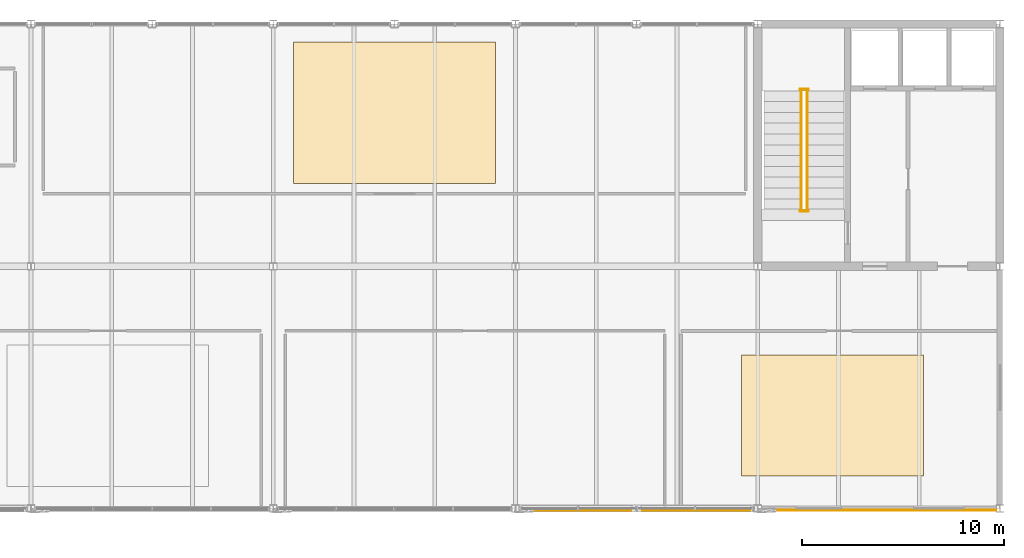
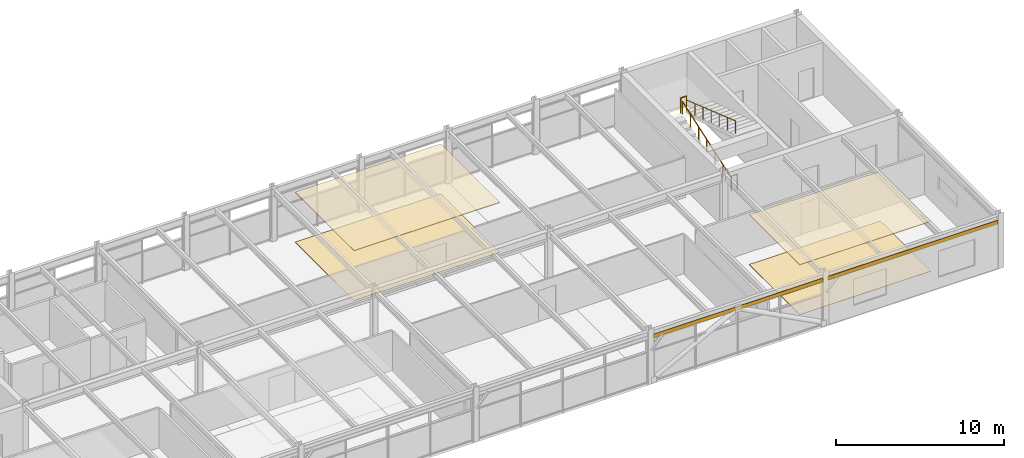
# One storey, part 23 of 23: 4 coverings, 4 railings, 2 shading devices.
"""IFC4 building model written with IfcOpenShell, lengths in metres."""

from ifc_helpers import new_model, si_unit, direction, frame, origin, origin_2d, place, context, subcontext, project, spatial, rectangle, circle, extrude, material, layer, layer_set, type_object, element, save


model = new_model("IFC4")

# Units and contexts
model_context = context("Model", 3, precision=1e-05, world=origin(), true_north=direction((0.0, 1.0)))
body_context = subcontext(model_context, "Body", "Model", "MODEL_VIEW")
ifc_project = project(units=[si_unit("LENGTHUNIT", "METRE"), si_unit("AREAUNIT", "SQUARE_METRE"), si_unit("VOLUMEUNIT", "CUBIC_METRE"), si_unit("PLANEANGLEUNIT", "RADIAN"), si_unit("MASSUNIT", "GRAM", prefix="KILO")], contexts=[model_context])

# Site, building, storey
site_placement = place(None, origin())
site = spatial("IfcSite", under=ifc_project, at=site_placement, CompositionType="ELEMENT")
building_placement = place(site_placement, origin())
building = spatial("IfcBuilding", under=site, at=building_placement, Name="Girod Span Mobility Hub", CompositionType="ELEMENT")
storey_placement = place(building_placement, frame((0.0, 0.0, 65.60009765625)))
storey = spatial("IfcBuildingStorey", under=building, at=storey_placement, Name="L16", CompositionType="ELEMENT", Elevation=65.60009765625)

# Coverings
ifc_material_1 = material(Name="Perforated Mineral-Fibre Acoustic Ceiling Tile", Category="mineral")
ifc_layer_1 = layer(ifc_material_1, 0.050048828125)
ifc_layer_set_1 = layer_set([ifc_layer_1], Name="Perforated Mineral-Fibre Acoustic Ceiling Tile")
covering_type_1 = type_object("IfcCoveringType", Name="COV-CLG-1000X700", PredefinedType="CEILING", material=ifc_layer_set_1)
covering_1_placement = place(storey_placement, frame((90.0, 64.60009765625, 3.60498046875), z_axis=(0.0, 0.0, 1.0), x_axis=(1.0, 0.0, 0.0)))
element("IfcCovering", 1, at=covering_1_placement, inside=storey, type_object=covering_type_1, Name="Executive Studio North L16 Acoustic Ceiling", PredefinedType="CEILING", context=body_context, shape_type="SweptSolid", body=[
    extrude(rectangle(XDim=10.0, YDim=7.0, at=origin_2d()), origin(), (0.0, 0.0, 1.0), 0.050048828125),
])
ifc_material_2 = material(Name="Perforated Mineral-Fibre Acoustic Ceiling Tile", Category="mineral")
ifc_layer_2 = layer(ifc_material_2, 0.044921875)
ifc_layer_set_2 = layer_set([ifc_layer_2], Name="Perforated Mineral-Fibre Acoustic Ceiling Tile")
covering_type_2 = type_object("IfcCoveringType", Name="COV-CLG-900X600", PredefinedType="CEILING", material=ifc_layer_set_2)
covering_2_placement = place(storey_placement, frame((111.699951171875, 49.60009765625, 3.60498046875), z_axis=(0.0, 0.0, 1.0), x_axis=(1.0, 0.0, 0.0)))
element("IfcCovering", 2, at=covering_2_placement, inside=storey, type_object=covering_type_2, Name="Office Suite East L16 Acoustic Ceiling", PredefinedType="CEILING", context=body_context, shape_type="SweptSolid", body=[
    extrude(rectangle(XDim=9.0, YDim=6.0, at=origin_2d()), origin(), (0.0, 0.0, 1.0), 0.044921875),
])
ifc_material_3 = material(Name="Epoxy Terrazzo and Raised Access Flooring", Category="polymer")
ifc_layer_3 = layer(ifc_material_3, 0.02490234375)
ifc_layer_set_3 = layer_set([ifc_layer_3], Name="Epoxy Terrazzo and Raised Access Flooring")
covering_type_3 = type_object("IfcCoveringType", Name="COV-FLR-1000X700", PredefinedType="FLOORING", material=ifc_layer_set_3)
covering_3_placement = place(storey_placement, frame((90.0, 64.60009765625, 0.0), z_axis=(0.0, 0.0, 1.0), x_axis=(1.0, 0.0, 0.0)))
element("IfcCovering", 3, at=covering_3_placement, inside=storey, type_object=covering_type_3, Name="Executive Studio North L16 Floor Finish", PredefinedType="FLOORING", context=body_context, shape_type="SweptSolid", body=[
    extrude(rectangle(XDim=10.0, YDim=7.0, at=origin_2d()), origin(), (0.0, 0.0, 1.0), 0.02490234375),
])
ifc_material_4 = material(Name="Epoxy Terrazzo and Raised Access Flooring", Category="polymer")
ifc_layer_4 = layer(ifc_material_4, 0.030029296875)
ifc_layer_set_4 = layer_set([ifc_layer_4], Name="Epoxy Terrazzo and Raised Access Flooring")
covering_type_4 = type_object("IfcCoveringType", Name="COV-FLR-900X600", PredefinedType="FLOORING", material=ifc_layer_set_4)
covering_4_placement = place(storey_placement, frame((111.699951171875, 49.60009765625, 0.0), z_axis=(0.0, 0.0, 1.0), x_axis=(1.0, 0.0, 0.0)))
element("IfcCovering", 4, at=covering_4_placement, inside=storey, type_object=covering_type_4, Name="Office Suite East L16 Floor Finish", PredefinedType="FLOORING", context=body_context, shape_type="SweptSolid", body=[
    extrude(rectangle(XDim=9.0, YDim=6.0, at=origin_2d()), origin(), (0.0, 0.0, 1.0), 0.030029296875),
])

# Railings
ifc_material_5 = material(Name="Painted Galvanised Steel", Category="steel")
ifc_layer_5 = layer(ifc_material_5, 0.06494140625)
ifc_layer_set_5 = layer_set([ifc_layer_5], Name="Painted Galvanised Steel")
railing_type_1 = type_object("IfcRailingType", Name="RL-GRD-1120", PredefinedType="GUARDRAIL", material=ifc_layer_set_5)
for number, where, name in (
    (5, (110.10009765625, 65.77001953125, 2.0), "Stair ST-2 Half-Landing Well Guard L16"),
    (6, (110.10009765625, 59.72998046875, 0.0), "Stair ST-2 Landing Well Guard L16"),
):
    element("IfcRailing", number, at=place(storey_placement, frame(where)), inside=storey, type_object=railing_type_1, Name=name, PredefinedType="GUARDRAIL", context=body_context, shape_type="SweptSolid", body=[
        extrude(circle(Radius=0.02392578125, at=origin_2d()), frame((0.0, 0.0, 1.09619140625), z_axis=(1.0, 0.0, 0.0), x_axis=(0.0, 1.0, 0.0)), (0.0, 0.0, 1.0), 0.39990234375),
        extrude(circle(Radius=0.02099609375, at=origin_2d()), origin(), (0.0, 0.0, 1.0), 1.072021484375),
        extrude(circle(Radius=0.02099609375, at=origin_2d()), frame((0.39990234375, 0.0, 0.0)), (0.0, 0.0, 1.0), 1.072021484375),
    ])
ifc_material_6 = material(Name="Painted Galvanised Steel", Category="steel")
ifc_layer_6 = layer(ifc_material_6, 0.050048828125)
ifc_layer_set_6 = layer_set([ifc_layer_6], Name="Painted Galvanised Steel")
railing_type_2 = type_object("IfcRailingType", Name="RL-HR-920", PredefinedType="HANDRAIL", material=ifc_layer_set_6)
railing_1_placement = place(storey_placement, frame((110.14990234375, 59.860107421875, 0.0)))
element("IfcRailing", 7, at=railing_1_placement, inside=storey, type_object=railing_type_2, Name="Stair ST-2 Flight 1 Handrail L16", PredefinedType="HANDRAIL", context=body_context, shape_type="SweptSolid", body=[
    extrude(circle(Radius=0.02392578125, at=origin_2d()), frame((0.0, 0.0, 0.89599609375), z_axis=(0.0, 0.945021187488, 0.327009105681), x_axis=(-1.0, 0.0, 0.0)), (0.0, 0.0, 1.0), 6.115966796875),
    extrude(circle(Radius=0.02099609375, at=origin_2d()), origin(), (0.0, 0.0, 1.0), 0.871826171875),
    extrude(circle(Radius=0.02099609375, at=origin_2d()), frame((0.0, 0.96337890625, 0.333251953125)), (0.0, 0.0, 1.0), 0.871826171875),
    extrude(circle(Radius=0.02099609375, at=origin_2d()), frame((0.0, 1.926513671875, 0.666748046875)), (0.0, 0.0, 1.0), 0.871826171875),
    extrude(circle(Radius=0.02099609375, at=origin_2d()), frame((0.0, 2.889892578125, 1.0)), (0.0, 0.0, 1.0), 0.871826171875),
    extrude(circle(Radius=0.02099609375, at=origin_2d()), frame((0.0, 3.853271484375, 1.333251953125)), (0.0, 0.0, 1.0), 0.871826171875),
    extrude(circle(Radius=0.02099609375, at=origin_2d()), frame((0.0, 4.81640625, 1.666748046875)), (0.0, 0.0, 1.0), 0.871826171875),
    extrude(circle(Radius=0.02099609375, at=origin_2d()), frame((0.0, 5.77978515625, 2.0)), (0.0, 0.0, 1.0), 0.871826171875),
])
railing_2_placement = place(storey_placement, frame((110.449951171875, 65.639892578125, 2.0)))
element("IfcRailing", 8, at=railing_2_placement, inside=storey, type_object=railing_type_2, Name="Stair ST-2 Flight 2 Handrail L16", PredefinedType="HANDRAIL", context=body_context, shape_type="SweptSolid", body=[
    extrude(circle(Radius=0.02392578125, at=origin_2d()), frame((0.0, 0.0, 0.89599609375), z_axis=(0.0, -0.945021187488, 0.327009105681), x_axis=(1.0, 0.0, 0.0)), (0.0, 0.0, 1.0), 6.115966796875),
    extrude(circle(Radius=0.02099609375, at=origin_2d()), origin(), (0.0, 0.0, 1.0), 0.871826171875),
    extrude(circle(Radius=0.02099609375, at=origin_2d()), frame((0.0, -0.96337890625, 0.333251953125)), (0.0, 0.0, 1.0), 0.871826171875),
    extrude(circle(Radius=0.02099609375, at=origin_2d()), frame((0.0, -1.926513671875, 0.666748046875)), (0.0, 0.0, 1.0), 0.871826171875),
    extrude(circle(Radius=0.02099609375, at=origin_2d()), frame((0.0, -2.889892578125, 1.0)), (0.0, 0.0, 1.0), 0.871826171875),
    extrude(circle(Radius=0.02099609375, at=origin_2d()), frame((0.0, -3.853271484375, 1.333251953125)), (0.0, 0.0, 1.0), 0.871826171875),
    extrude(circle(Radius=0.02099609375, at=origin_2d()), frame((0.0, -4.81640625, 1.666748046875)), (0.0, 0.0, 1.0), 0.871826171875),
    extrude(circle(Radius=0.02099609375, at=origin_2d()), frame((0.0, -5.77978515625, 2.0)), (0.0, 0.0, 1.0), 0.871826171875),
])

# Shading devices
ifc_material_7 = material(Name="Aluminium 6063-T6", Category="aluminium")
ifc_layer_7 = layer(ifc_material_7, 0.0380859375)
ifc_layer_set_7 = layer_set([ifc_layer_7], Name="Aluminium 6063-T6")
shading_device_type = type_object("IfcShadingDeviceType", Name="SHD-SHT-11635X260X38", PredefinedType="SHUTTER", material=ifc_layer_set_7)
for number, where, z_axis, x_axis, name in (
    (9, (102.0, 44.919921875, 3.22607421875), (0.0, 0.0, 1.0), (1.0, 0.0, 0.0), "External Solar Shading Blade 9 L16"),
    (10, (114.0, 44.919921875, 3.22607421875), (0.0, 0.0, 1.0), (1.0, 0.0, 0.0), "External Solar Shading Blade 10 L16"),
):
    element("IfcShadingDevice", number, at=place(storey_placement, frame(where, z_axis=z_axis, x_axis=x_axis)), inside=storey, type_object=shading_device_type, Name=name, PredefinedType="SHUTTER", context=body_context, shape_type="SweptSolid", body=[
        extrude(rectangle(XDim=11.635009765625, YDim=0.0380859375, at=origin_2d()), origin(), (0.0, 0.0, 1.0), 0.260009765625),
    ])

save(model, "model.ifc")
